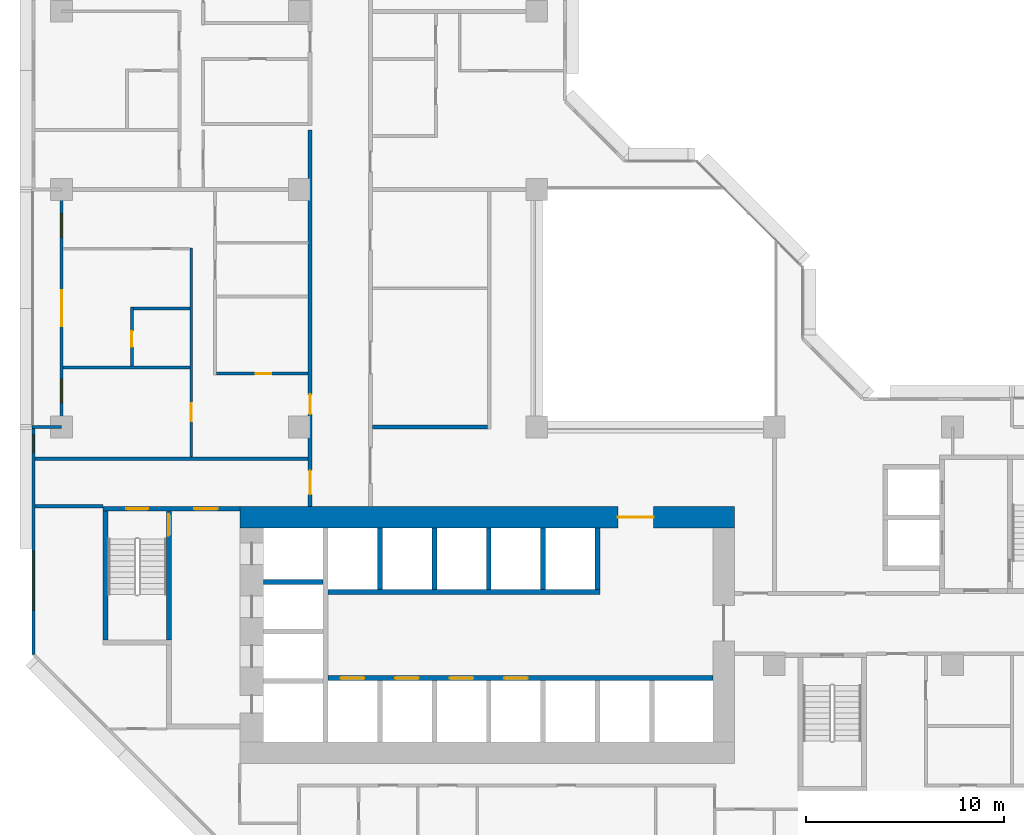
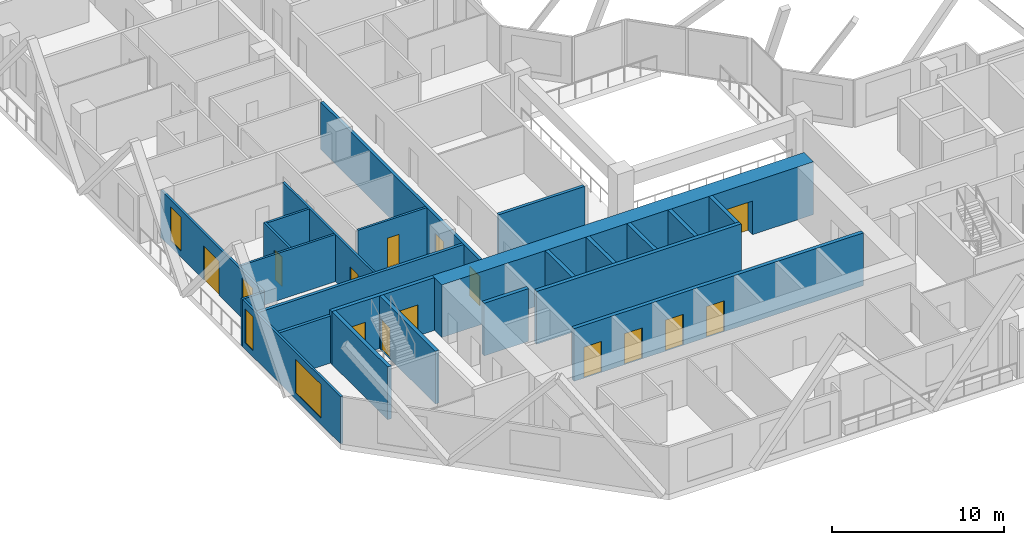
# One storey, part 5 of 15: 24 walls, 14 doors, 4 windows, 18 openings.
"""IFC4 building model written with IfcOpenShell, lengths in metres."""

from ifc_helpers import new_model, si_unit, direction, frame, frame_2d, origin, place, context, subcontext, project, spatial, rectangle, extrude, material, layer, layer_set, type_object, element, fill, save


model = new_model("IFC4")

# Units and contexts
model_context = context("Model", 3, precision=1e-05, world=origin(), true_north=direction((0.0, 1.0)))
body_context = subcontext(model_context, "Body", "Model", "MODEL_VIEW")
ifc_project = project(units=[si_unit("LENGTHUNIT", "METRE"), si_unit("AREAUNIT", "SQUARE_METRE"), si_unit("VOLUMEUNIT", "CUBIC_METRE"), si_unit("PLANEANGLEUNIT", "RADIAN"), si_unit("MASSUNIT", "GRAM", prefix="KILO")], contexts=[model_context])

# Site, building, storey
site_placement = place(None, origin())
site = spatial("IfcSite", under=ifc_project, at=site_placement, CompositionType="ELEMENT")
building_placement = place(site_placement, origin())
building = spatial("IfcBuilding", under=site, at=building_placement, Name="Chenar Terraces", CompositionType="ELEMENT")
storey_placement = place(building_placement, frame((0.0, 0.0, 48.89990234375)))
storey = spatial("IfcBuildingStorey", under=building, at=storey_placement, Name="L09", CompositionType="ELEMENT", Elevation=48.89990234375)

# Wall, opening, door
ifc_material_1 = material(Name="Concrete C70/85", Category="concrete")
ifc_layer_1 = layer(ifc_material_1, 1.10009765625)
ifc_layer_set_1 = layer_set([ifc_layer_1], Name="Concrete C70/85")
wall_type_1 = type_object("IfcWallType", Name="Core wall 1100 Concrete C70/85", PredefinedType="SHEAR", material=ifc_layer_set_1)
wall_1_placement = place(storey_placement, frame((9.0, 19.449951171875, 0.0), z_axis=(0.0, 0.0, 1.0), x_axis=(1.0, 0.0, 0.0)))
wall_1 = element("IfcWall", 1, at=wall_1_placement, inside=storey, type_object=wall_type_1, Name="Core wall N L09", PredefinedType="SHEAR", context=body_context, shape_type="SweptSolid", body=[
    extrude(rectangle(XDim=25.0, YDim=1.10009765625, at=frame_2d((12.5, 0.0))), origin(), (0.0, 0.0, 1.0), 3.75),
])
opening_1_placement = place(wall_1_placement, frame((19.10009765625, 0.0, 0.0)))
opening_1 = element("IfcOpeningElement", 2, at=opening_1_placement, cuts=wall_1, Name="Opening DL09-C2", PredefinedType="OPENING", context=body_context, shape_type="SweptSolid", body=[
    extrude(rectangle(XDim=1.800048828125, YDim=2.39990234375, at=frame_2d((0.89990234375, 1.199951171875))), frame((0.0, 0.56005859375, 0.0), z_axis=(0.0, -1.0, 0.0), x_axis=(1.0, 0.0, 0.0)), (0.0, 0.0, 1.0), 1.1201171875),
])
ifc_material_2 = material(Name="Steel-framed fire-resisting door leaf", Category="steel")
door_type_1 = type_object("IfcDoorType", Name="Core entrance double fire door FD60 1800 x 2400", OperationType="DOUBLE_DOOR_SINGLE_SWING", PredefinedType="DOOR", material=ifc_material_2)
door_1_placement = place(opening_1_placement, frame((1.800048828125, 0.0, 0.0), z_axis=(0.0, 0.0, 1.0), x_axis=(-1.0, 0.0, 0.0)))
door_1 = element("IfcDoor", 3, at=door_1_placement, inside=storey, type_object=door_type_1, Name="Core door DL09-C2", OperationType="DOUBLE_DOOR_SINGLE_SWING", OverallHeight=2.39990234375, OverallWidth=1.800048828125, PredefinedType="DOOR", context=body_context, shape_type="SweptSolid", body=[
    extrude(rectangle(XDim=1.800048828125, YDim=2.39990234375, at=frame_2d((0.89990234375, 1.199951171875))), frame((0.0, 0.02490234375, 0.0), z_axis=(0.0, -1.0, 0.0), x_axis=(1.0, 0.0, 0.0)), (0.0, 0.0, 1.0), 0.050048828125),
])
fill(opening_1, door_1)

# Wall, openings, doors
ifc_material_3 = material(Name="Concrete C70/85", Category="concrete")
ifc_layer_2 = layer(ifc_material_3, 0.25)
ifc_layer_set_2 = layer_set([ifc_layer_2], Name="Concrete C70/85")
wall_type_2 = type_object("IfcWallType", Name="Core wall 250 Concrete C70/85", PredefinedType="SHEAR", material=ifc_layer_set_2)
wall_2_placement = place(storey_placement, frame((13.449951171875, 11.324951171875, 0.0), z_axis=(0.0, 0.0, 1.0), x_axis=(1.0, 0.0, 0.0)))
wall_2 = element("IfcWall", 4, at=wall_2_placement, inside=storey, type_object=wall_type_2, Name="Core wall SF L09", PredefinedType="SHEAR", context=body_context, shape_type="SweptSolid", body=[
    extrude(rectangle(XDim=19.449951171875, YDim=0.25, at=frame_2d((9.72509765625, 0.0))), origin(), (0.0, 0.0, 1.0), 3.75),
])
opening_2_placement = place(wall_2_placement, frame((0.64990234375, 0.0, 0.0)))
opening_2 = element("IfcOpeningElement", 5, at=opening_2_placement, cuts=wall_2, Name="Opening DL09-LD1", PredefinedType="OPENING", context=body_context, shape_type="SweptSolid", body=[
    extrude(rectangle(XDim=1.199951171875, YDim=2.199951171875, at=frame_2d((0.60009765625, 1.10009765625))), frame((0.0, 0.135009765625, 0.0), z_axis=(0.0, -1.0, 0.0), x_axis=(1.0, 0.0, 0.0)), (0.0, 0.0, 1.0), 0.27001953125),
])
opening_3_placement = place(wall_2_placement, frame((3.39990234375, 0.0, 0.0)))
opening_3 = element("IfcOpeningElement", 6, at=opening_3_placement, cuts=wall_2, Name="Opening DL09-LD2", PredefinedType="OPENING", context=body_context, shape_type="SweptSolid", body=[
    extrude(rectangle(XDim=1.199951171875, YDim=2.199951171875, at=frame_2d((0.60009765625, 1.10009765625))), frame((0.0, 0.135009765625, 0.0), z_axis=(0.0, -1.0, 0.0), x_axis=(1.0, 0.0, 0.0)), (0.0, 0.0, 1.0), 0.27001953125),
])
opening_4_placement = place(wall_2_placement, frame((6.14990234375, 0.0, 0.0)))
opening_4 = element("IfcOpeningElement", 7, at=opening_4_placement, cuts=wall_2, Name="Opening DL09-LD3", PredefinedType="OPENING", context=body_context, shape_type="SweptSolid", body=[
    extrude(rectangle(XDim=1.199951171875, YDim=2.199951171875, at=frame_2d((0.60009765625, 1.10009765625))), frame((0.0, 0.135009765625, 0.0), z_axis=(0.0, -1.0, 0.0), x_axis=(1.0, 0.0, 0.0)), (0.0, 0.0, 1.0), 0.27001953125),
])
opening_5_placement = place(wall_2_placement, frame((8.89990234375, 0.0, 0.0)))
opening_5 = element("IfcOpeningElement", 8, at=opening_5_placement, cuts=wall_2, Name="Opening DL09-LD4", PredefinedType="OPENING", context=body_context, shape_type="SweptSolid", body=[
    extrude(rectangle(XDim=1.199951171875, YDim=2.199951171875, at=frame_2d((0.60009765625, 1.10009765625))), frame((0.0, 0.135009765625, 0.0), z_axis=(0.0, -1.0, 0.0), x_axis=(1.0, 0.0, 0.0)), (0.0, 0.0, 1.0), 0.27001953125),
])
ifc_material_4 = material(Name="Stainless steel", Category="steel")
door_type_2 = type_object("IfcDoorType", Name="Lift landing door 1200 x 2200 sliding", OperationType="DOUBLE_DOOR_SLIDING", PredefinedType="DOOR", material=ifc_material_4)
door_2_placement = place(opening_2_placement, origin())
door_2 = element("IfcDoor", 9, at=door_2_placement, inside=storey, type_object=door_type_2, Name="Landing door L1", OperationType="DOUBLE_DOOR_SLIDING", OverallHeight=2.199951171875, OverallWidth=1.199951171875, PredefinedType="DOOR", context=body_context, shape_type="SweptSolid", body=[
    extrude(rectangle(XDim=1.199951171875, YDim=2.199951171875, at=frame_2d((0.60009765625, 1.10009765625))), frame((0.0, 0.02490234375, 0.0), z_axis=(0.0, -1.0, 0.0), x_axis=(1.0, 0.0, 0.0)), (0.0, 0.0, 1.0), 0.050048828125),
])
fill(opening_2, door_2)
door_3_placement = place(opening_3_placement, origin())
door_3 = element("IfcDoor", 10, at=door_3_placement, inside=storey, type_object=door_type_2, Name="Landing door L2", OperationType="DOUBLE_DOOR_SLIDING", OverallHeight=2.199951171875, OverallWidth=1.199951171875, PredefinedType="DOOR", context=body_context, shape_type="SweptSolid", body=[
    extrude(rectangle(XDim=1.199951171875, YDim=2.199951171875, at=frame_2d((0.60009765625, 1.10009765625))), frame((0.0, 0.02490234375, 0.0), z_axis=(0.0, -1.0, 0.0), x_axis=(1.0, 0.0, 0.0)), (0.0, 0.0, 1.0), 0.050048828125),
])
fill(opening_3, door_3)
door_4_placement = place(opening_4_placement, origin())
door_4 = element("IfcDoor", 11, at=door_4_placement, inside=storey, type_object=door_type_2, Name="Landing door L3", OperationType="DOUBLE_DOOR_SLIDING", OverallHeight=2.199951171875, OverallWidth=1.199951171875, PredefinedType="DOOR", context=body_context, shape_type="SweptSolid", body=[
    extrude(rectangle(XDim=1.199951171875, YDim=2.199951171875, at=frame_2d((0.60009765625, 1.10009765625))), frame((0.0, 0.02490234375, 0.0), z_axis=(0.0, -1.0, 0.0), x_axis=(1.0, 0.0, 0.0)), (0.0, 0.0, 1.0), 0.050048828125),
])
fill(opening_4, door_4)
door_5_placement = place(opening_5_placement, origin())
door_5 = element("IfcDoor", 12, at=door_5_placement, inside=storey, type_object=door_type_2, Name="Landing door L4", OperationType="DOUBLE_DOOR_SLIDING", OverallHeight=2.199951171875, OverallWidth=1.199951171875, PredefinedType="DOOR", context=body_context, shape_type="SweptSolid", body=[
    extrude(rectangle(XDim=1.199951171875, YDim=2.199951171875, at=frame_2d((0.60009765625, 1.10009765625))), frame((0.0, 0.02490234375, 0.0), z_axis=(0.0, -1.0, 0.0), x_axis=(1.0, 0.0, 0.0)), (0.0, 0.0, 1.0), 0.050048828125),
])
fill(opening_5, door_5)

# Walls
wall_3_placement = place(storey_placement, frame((13.449951171875, 15.675048828125, 0.0), z_axis=(0.0, 0.0, 1.0), x_axis=(1.0, 0.0, 0.0)))
element("IfcWall", 13, at=wall_3_placement, inside=storey, type_object=wall_type_2, Name="Core wall NF L09", PredefinedType="SHEAR", context=body_context, shape_type="SweptSolid", body=[
    extrude(rectangle(XDim=13.75, YDim=0.25, at=frame_2d((6.875, 0.0))), origin(), (0.0, 0.0, 1.0), 3.75),
])
wall_4_placement = place(storey_placement, frame((10.199951171875, 16.175048828125, 0.0), z_axis=(0.0, 0.0, 1.0), x_axis=(1.0, 0.0, 0.0)))
element("IfcWall", 14, at=wall_4_placement, inside=storey, type_object=wall_type_2, Name="Core wall HW2 L09", PredefinedType="SHEAR", context=body_context, shape_type="SweptSolid", body=[
    extrude(rectangle(XDim=3.0, YDim=0.25, at=frame_2d((1.5, 0.0))), origin(), (0.0, 0.0, 1.0), 3.75),
])
for number, where, z_axis, x_axis, name in (
    (15, (16.074951171875, 15.800048828125, 0.0), (0.0, 0.0, 1.0), (0.0, 1.0, 0.0), "Core wall NS0 L09"),
    (16, (18.824951171875, 15.800048828125, 0.0), (0.0, 0.0, 1.0), (0.0, 1.0, 0.0), "Core wall NS1 L09"),
    (17, (21.574951171875, 15.800048828125, 0.0), (0.0, 0.0, 1.0), (0.0, 1.0, 0.0), "Core wall NS2 L09"),
    (18, (24.324951171875, 15.800048828125, 0.0), (0.0, 0.0, 1.0), (0.0, 1.0, 0.0), "Core wall NS3 L09"),
    (19, (27.074951171875, 15.800048828125, 0.0), (0.0, 0.0, 1.0), (0.0, 1.0, 0.0), "Core wall NE L09"),
):
    element("IfcWall", number, at=place(storey_placement, frame(where, z_axis=z_axis, x_axis=x_axis)), inside=storey, type_object=wall_type_2, Name=name, PredefinedType="SHEAR", context=body_context, shape_type="SweptSolid", body=[
        extrude(rectangle(XDim=3.099853515625, YDim=0.25, at=frame_2d((1.5498046875, 0.0))), origin(), (0.0, 0.0, 1.0), 3.75),
    ])

# Wall, openings, doors
wall_5_placement = place(storey_placement, frame((2.10009765625, 19.875, 0.0), z_axis=(0.0, 0.0, 1.0), x_axis=(1.0, 0.0, 0.0)))
wall_5 = element("IfcWall", 20, at=wall_5_placement, inside=storey, type_object=wall_type_2, Name="Core wall A_N L09", PredefinedType="SHEAR", context=body_context, shape_type="SweptSolid", body=[
    extrude(rectangle(XDim=6.89990234375, YDim=0.25, at=frame_2d((3.449951171875, 0.0))), origin(), (0.0, 0.0, 1.0), 3.75),
])
opening_6_placement = place(wall_5_placement, frame((1.175048828125, 0.0, 0.0)))
opening_6 = element("IfcOpeningElement", 21, at=opening_6_placement, cuts=wall_5, Name="Opening DL09-C5", PredefinedType="OPENING", context=body_context, shape_type="SweptSolid", body=[
    extrude(rectangle(XDim=1.10009765625, YDim=2.199951171875, at=frame_2d((0.550048828125, 1.10009765625))), frame((0.0, 0.135009765625, 0.0), z_axis=(0.0, -1.0, 0.0), x_axis=(1.0, 0.0, 0.0)), (0.0, 0.0, 1.0), 0.27001953125),
])
opening_7_placement = place(wall_5_placement, frame((4.60009765625, 0.0, 0.0)))
opening_7 = element("IfcOpeningElement", 22, at=opening_7_placement, cuts=wall_5, Name="Opening DL09-C6", PredefinedType="OPENING", context=body_context, shape_type="SweptSolid", body=[
    extrude(rectangle(XDim=1.199951171875, YDim=2.199951171875, at=frame_2d((0.60009765625, 1.10009765625))), frame((0.0, 0.135009765625, 0.0), z_axis=(0.0, -1.0, 0.0), x_axis=(1.0, 0.0, 0.0)), (0.0, 0.0, 1.0), 0.27001953125),
])
ifc_material_5 = material(Name="Steel-framed fire-resisting door leaf", Category="steel")
door_type_3 = type_object("IfcDoorType", Name="Lobby fire door FD60 1200 x 2200", OperationType="SINGLE_SWING_LEFT", PredefinedType="DOOR", material=ifc_material_5)
door_6_placement = place(opening_7_placement, frame((1.199951171875, 0.0, 0.0), z_axis=(0.0, 0.0, 1.0), x_axis=(-1.0, 0.0, 0.0)))
door_6 = element("IfcDoor", 23, at=door_6_placement, inside=storey, type_object=door_type_3, Name="Core door DL09-C6", OperationType="SINGLE_SWING_LEFT", OverallHeight=2.199951171875, OverallWidth=1.199951171875, PredefinedType="DOOR", context=body_context, shape_type="SweptSolid", body=[
    extrude(rectangle(XDim=1.199951171875, YDim=2.199951171875, at=frame_2d((0.60009765625, 1.10009765625))), frame((0.0, 0.02490234375, 0.0), z_axis=(0.0, -1.0, 0.0), x_axis=(1.0, 0.0, 0.0)), (0.0, 0.0, 1.0), 0.050048828125),
])
fill(opening_7, door_6)
ifc_material_6 = material(Name="Steel-framed fire-resisting door leaf", Category="steel")
door_type_4 = type_object("IfcDoorType", Name="Stair fire door FD60 1100 x 2200", OperationType="SINGLE_SWING_LEFT", PredefinedType="DOOR", material=ifc_material_6)
door_7_placement = place(opening_6_placement, origin())
door_7 = element("IfcDoor", 24, at=door_7_placement, inside=storey, type_object=door_type_4, Name="Stair door DL09-C5", OperationType="SINGLE_SWING_LEFT", OverallHeight=2.199951171875, OverallWidth=1.10009765625, PredefinedType="DOOR", context=body_context, shape_type="SweptSolid", body=[
    extrude(rectangle(XDim=1.10009765625, YDim=2.199951171875, at=frame_2d((0.550048828125, 1.10009765625))), frame((0.0, 0.02490234375, 0.0), z_axis=(0.0, -1.0, 0.0), x_axis=(1.0, 0.0, 0.0)), (0.0, 0.0, 1.0), 0.050048828125),
])
fill(opening_6, door_7)

# Wall
wall_6_placement = place(storey_placement, frame((2.22509765625, 13.25, 0.0), z_axis=(0.0, 0.0, 1.0), x_axis=(0.0, 1.0, 0.0)))
element("IfcWall", 25, at=wall_6_placement, inside=storey, type_object=wall_type_2, Name="Core wall ST1_W L09", PredefinedType="SHEAR", context=body_context, shape_type="SweptSolid", body=[
    extrude(rectangle(XDim=6.5, YDim=0.25, at=frame_2d((3.25, 0.0))), origin(), (0.0, 0.0, 1.0), 3.75),
])

# Wall, opening, door
wall_7_placement = place(storey_placement, frame((5.425048828125, 13.25, 0.0), z_axis=(0.0, 0.0, 1.0), x_axis=(0.0, 1.0, 0.0)))
wall_7 = element("IfcWall", 26, at=wall_7_placement, inside=storey, type_object=wall_type_2, Name="Core wall ST1_E L09", PredefinedType="SHEAR", context=body_context, shape_type="SweptSolid", body=[
    extrude(rectangle(XDim=6.5, YDim=0.25, at=frame_2d((3.25, 0.0))), origin(), (0.0, 0.0, 1.0), 3.75),
])
opening_8_placement = place(wall_7_placement, frame((5.25, 0.0, 0.0)))
opening_8 = element("IfcOpeningElement", 27, at=opening_8_placement, cuts=wall_7, Name="Opening DL09-C3", PredefinedType="OPENING", context=body_context, shape_type="SweptSolid", body=[
    extrude(rectangle(XDim=1.10009765625, YDim=2.199951171875, at=frame_2d((0.550048828125, 1.10009765625))), frame((0.0, 0.135009765625, 0.0), z_axis=(0.0, -1.0, 0.0), x_axis=(1.0, 0.0, 0.0)), (0.0, 0.0, 1.0), 0.27001953125),
])
door_8_placement = place(opening_8_placement, origin())
door_8 = element("IfcDoor", 28, at=door_8_placement, inside=storey, type_object=door_type_4, Name="Stair door DL09-C3", OperationType="SINGLE_SWING_RIGHT", OverallHeight=2.199951171875, OverallWidth=1.10009765625, PredefinedType="DOOR", context=body_context, shape_type="SweptSolid", body=[
    extrude(rectangle(XDim=1.10009765625, YDim=2.199951171875, at=frame_2d((0.550048828125, 1.10009765625))), frame((0.0, 0.02490234375, 0.0), z_axis=(0.0, -1.0, 0.0), x_axis=(1.0, 0.0, 0.0)), (0.0, 0.0, 1.0), 0.050048828125),
])
fill(opening_8, door_8)

# Walls
ifc_material_7 = material(Name="Gypsum board on steel studs with fire boards", Category="steel")
ifc_layer_3 = layer(ifc_material_7, 0.199951171875)
ifc_layer_set_3 = layer_set([ifc_layer_3], Name="Gypsum board on steel studs with fire boards")
wall_type_3 = type_object("IfcWallType", Name="Corridor wall 200", PredefinedType="PARTITIONING", material=ifc_layer_set_3)
wall_8_placement = place(storey_placement, frame((-1.35009765625, 20.0, 0.0), z_axis=(0.0, 0.0, 1.0), x_axis=(1.0, 0.0, 0.0)))
element("IfcWall", 29, at=wall_8_placement, inside=storey, type_object=wall_type_3, Name="Partition L09-002", PredefinedType="PARTITIONING", context=body_context, shape_type="SweptSolid", body=[
    extrude(rectangle(XDim=3.4501953125, YDim=0.199951171875, at=frame_2d((1.72509765625, 0.0))), origin(), (0.0, 0.0, 1.0), 3.35009765625),
])
wall_9_placement = place(storey_placement, frame((-1.35009765625, 22.39990234375, 0.0), z_axis=(0.0, 0.0, 1.0), x_axis=(1.0, 0.0, 0.0)))
element("IfcWall", 30, at=wall_9_placement, inside=storey, type_object=wall_type_3, Name="Partition L09-003", PredefinedType="PARTITIONING", context=body_context, shape_type="SweptSolid", body=[
    extrude(rectangle(XDim=13.800048828125, YDim=0.199951171875, at=frame_2d((6.89990234375, 0.0))), origin(), (0.0, 0.0, 1.0), 3.35009765625),
])

# Wall, openings, doors
wall_10_placement = place(storey_placement, frame((12.550048828125, 20.0, 0.0), z_axis=(0.0, 0.0, 1.0), x_axis=(0.0, 1.0, 0.0)))
wall_10 = element("IfcWall", 31, at=wall_10_placement, inside=storey, type_object=wall_type_3, Name="Partition L09-041", PredefinedType="PARTITIONING", context=body_context, shape_type="SweptSolid", body=[
    extrude(rectangle(XDim=19.0, YDim=0.199951171875, at=frame_2d((9.5, 0.0))), origin(), (0.0, 0.0, 1.0), 3.35009765625),
])
opening_9_placement = place(wall_10_placement, frame((0.60009765625, 0.0, 0.0)))
opening_9 = element("IfcOpeningElement", 32, at=opening_9_placement, cuts=wall_10, Name="Opening DL09-48", PredefinedType="OPENING", context=body_context, shape_type="SweptSolid", body=[
    extrude(rectangle(XDim=1.199951171875, YDim=2.10009765625, at=frame_2d((0.60009765625, 1.050048828125))), frame((0.0, 0.10986328125, 0.0), z_axis=(0.0, -1.0, 0.0), x_axis=(1.0, 0.0, 0.0)), (0.0, 0.0, 1.0), 0.219970703125),
])
opening_10_placement = place(wall_10_placement, frame((4.64990234375, 0.0, 0.0)))
opening_10 = element("IfcOpeningElement", 33, at=opening_10_placement, cuts=wall_10, Name="Opening DL09-72", PredefinedType="OPENING", context=body_context, shape_type="SweptSolid", body=[
    extrude(rectangle(XDim=1.0, YDim=2.10009765625, at=frame_2d((0.5, 1.050048828125))), frame((0.0, 0.10986328125, 0.0), z_axis=(0.0, -1.0, 0.0), x_axis=(1.0, 0.0, 0.0)), (0.0, 0.0, 1.0), 0.219970703125),
])
ifc_material_8 = material(Name="Steel-framed fire-resisting door leaf", Category="steel")
door_type_5 = type_object("IfcDoorType", Name="Fire door FD30S 1000 x 2100", OperationType="SINGLE_SWING_LEFT", PredefinedType="DOOR", material=ifc_material_8)
door_9_placement = place(opening_10_placement, origin())
door_9 = element("IfcDoor", 34, at=door_9_placement, inside=storey, type_object=door_type_5, Name="Door DL09-72", OperationType="SINGLE_SWING_LEFT", OverallHeight=2.10009765625, OverallWidth=1.0, PredefinedType="DOOR", context=body_context, shape_type="SweptSolid", body=[
    extrude(rectangle(XDim=1.0, YDim=2.10009765625, at=frame_2d((0.5, 1.050048828125))), frame((0.0, 0.02490234375, 0.0), z_axis=(0.0, -1.0, 0.0), x_axis=(1.0, 0.0, 0.0)), (0.0, 0.0, 1.0), 0.050048828125),
])
fill(opening_10, door_9)
ifc_material_9 = material(Name="Steel-framed fire-resisting door leaf", Category="steel")
door_type_6 = type_object("IfcDoorType", Name="Fire door FD30S 1200 x 2100", OperationType="SINGLE_SWING_LEFT", PredefinedType="DOOR", material=ifc_material_9)
door_10_placement = place(opening_9_placement, origin())
door_10 = element("IfcDoor", 35, at=door_10_placement, inside=storey, type_object=door_type_6, Name="Door DL09-48", OperationType="SINGLE_SWING_RIGHT", OverallHeight=2.10009765625, OverallWidth=1.199951171875, PredefinedType="DOOR", context=body_context, shape_type="SweptSolid", body=[
    extrude(rectangle(XDim=1.199951171875, YDim=2.10009765625, at=frame_2d((0.60009765625, 1.050048828125))), frame((0.0, 0.02490234375, 0.0), z_axis=(0.0, -1.0, 0.0), x_axis=(1.0, 0.0, 0.0)), (0.0, 0.0, 1.0), 0.050048828125),
])
fill(opening_9, door_10)

# Wall
wall_11_placement = place(storey_placement, frame((15.699951171875, 24.0, 0.0), z_axis=(0.0, 0.0, 1.0), x_axis=(1.0, 0.0, 0.0)))
element("IfcWall", 36, at=wall_11_placement, inside=storey, type_object=wall_type_3, Name="Partition L09-046", PredefinedType="PARTITIONING", context=body_context, shape_type="SweptSolid", body=[
    extrude(rectangle(XDim=5.800048828125, YDim=0.199951171875, at=frame_2d((2.89990234375, 0.0))), origin(), (0.0, 0.0, 1.0), 3.35009765625),
])

# Wall, openings, windows
ifc_material_10 = material(Name="Aluminium framed glazing", Category="aluminium")
ifc_layer_4 = layer(ifc_material_10, 0.14990234375)
ifc_layer_set_4 = layer_set([ifc_layer_4], Name="Aluminium framed glazing")
wall_type_4 = type_object("IfcWallType", Name="Glazed flush facade wall 150", PredefinedType="SOLIDWALL", material=ifc_layer_set_4)
wall_12_placement = place(storey_placement, frame((-1.425048828125, 23.925048828125, 0.0), z_axis=(0.0, 0.0, 1.0), x_axis=(0.0, -1.0, 0.0)))
wall_12 = element("IfcWall", 37, at=wall_12_placement, inside=storey, type_object=wall_type_4, Name="Glazed flush facade wall", PredefinedType="SOLIDWALL", context=body_context, shape_type="SweptSolid", body=[
    extrude(rectangle(XDim=11.425048828125, YDim=0.14990234375, at=frame_2d((5.71240234375, 0.0))), origin(), (0.0, 0.0, 1.0), 3.35009765625),
])
opening_11_placement = place(wall_12_placement, frame((0.3125, 0.0, 0.449951171875)))
opening_11 = element("IfcOpeningElement", 38, at=opening_11_placement, cuts=wall_12, Name="Opening W90x240", PredefinedType="OPENING", context=body_context, shape_type="SweptSolid", body=[
    extrude(rectangle(XDim=0.89990234375, YDim=2.39990234375, at=frame_2d((0.449951171875, 1.199951171875))), frame((0.0, 0.0849609375, 0.0), z_axis=(0.0, -1.0, 0.0), x_axis=(1.0, 0.0, 0.0)), (0.0, 0.0, 1.0), 0.169921875),
])
opening_12_placement = place(wall_12_placement, frame((6.175048828125, 0.0, 0.449951171875)))
opening_12 = element("IfcOpeningElement", 39, at=opening_12_placement, cuts=wall_12, Name="Opening W300x240", PredefinedType="OPENING", context=body_context, shape_type="SweptSolid", body=[
    extrude(rectangle(XDim=3.0, YDim=2.39990234375, at=frame_2d((1.5, 1.199951171875))), frame((0.0, 0.0849609375, 0.0), z_axis=(0.0, -1.0, 0.0), x_axis=(1.0, 0.0, 0.0)), (0.0, 0.0, 1.0), 0.169921875),
])
ifc_material_11 = material(Name="Low emissivity double glazing, aluminium frame", Category="aluminium")
window_type_1 = type_object("IfcWindowType", Name="Fixed light 3000 x 2400", PartitioningType="SINGLE_PANEL", PredefinedType="WINDOW", material=ifc_material_11)
window_1_placement = place(opening_12_placement, origin())
window_1 = element("IfcWindow", 40, at=window_1_placement, inside=storey, type_object=window_type_1, Name="Window", OverallHeight=2.39990234375, OverallWidth=3.0, PartitioningType="SINGLE_PANEL", PredefinedType="WINDOW", context=body_context, shape_type="SweptSolid", body=[
    extrude(rectangle(XDim=3.0, YDim=2.39990234375, at=frame_2d((1.5, 1.199951171875))), frame((0.0, 0.030029296875, 0.0), z_axis=(0.0, -1.0, 0.0), x_axis=(1.0, 0.0, 0.0)), (0.0, 0.0, 1.0), 0.06005859375),
])
fill(opening_12, window_1)
ifc_material_12 = material(Name="Low emissivity double glazing, aluminium frame", Category="aluminium")
window_type_2 = type_object("IfcWindowType", Name="Fixed light 900 x 2400", PartitioningType="SINGLE_PANEL", PredefinedType="WINDOW", material=ifc_material_12)
window_2_placement = place(opening_11_placement, origin())
window_2 = element("IfcWindow", 41, at=window_2_placement, inside=storey, type_object=window_type_2, Name="Window", OverallHeight=2.39990234375, OverallWidth=0.89990234375, PartitioningType="SINGLE_PANEL", PredefinedType="WINDOW", context=body_context, shape_type="SweptSolid", body=[
    extrude(rectangle(XDim=0.89990234375, YDim=2.39990234375, at=frame_2d((0.449951171875, 1.199951171875))), frame((0.0, 0.030029296875, 0.0), z_axis=(0.0, -1.0, 0.0), x_axis=(1.0, 0.0, 0.0)), (0.0, 0.0, 1.0), 0.06005859375),
])
fill(opening_11, window_2)

# Wall, openings, windows, door
ifc_material_13 = material(Name="Aluminium framed glazing", Category="aluminium")
ifc_layer_5 = layer(ifc_material_13, 0.14990234375)
ifc_layer_set_5 = layer_set([ifc_layer_5], Name="Aluminium framed glazing")
wall_type_5 = type_object("IfcWallType", Name="Glazed loggia back wall 150", PredefinedType="SOLIDWALL", material=ifc_layer_set_5)
wall_13_placement = place(storey_placement, frame((0.0, 35.925048828125, 0.0), z_axis=(0.0, 0.0, 1.0), x_axis=(0.0, -1.0, 0.0)))
wall_13 = element("IfcWall", 42, at=wall_13_placement, inside=storey, type_object=wall_type_5, Name="Glazed loggia back wall", PredefinedType="SOLIDWALL", context=body_context, shape_type="SweptSolid", body=[
    extrude(rectangle(XDim=11.85009765625, YDim=0.14990234375, at=frame_2d((5.925048828125, 0.0))), origin(), (0.0, 0.0, 1.0), 3.35009765625),
])
opening_13_placement = place(wall_13_placement, frame((1.14990234375, 0.0, 0.449951171875)))
opening_13 = element("IfcOpeningElement", 43, at=opening_13_placement, cuts=wall_13, Name="Opening W120x240", PredefinedType="OPENING", context=body_context, shape_type="SweptSolid", body=[
    extrude(rectangle(XDim=1.199951171875, YDim=2.39990234375, at=frame_2d((0.60009765625, 1.199951171875))), frame((0.0, 0.0849609375, 0.0), z_axis=(0.0, -1.0, 0.0), x_axis=(1.0, 0.0, 0.0)), (0.0, 0.0, 1.0), 0.169921875),
])
opening_14_placement = place(wall_13_placement, frame((5.02490234375, 0.0, 0.0)))
opening_14 = element("IfcOpeningElement", 44, at=opening_14_placement, cuts=wall_13, Name="Opening DL09-G4", PredefinedType="OPENING", context=body_context, shape_type="SweptSolid", body=[
    extrude(rectangle(XDim=1.800048828125, YDim=2.39990234375, at=frame_2d((0.89990234375, 1.199951171875))), frame((0.0, 0.0849609375, 0.0), z_axis=(0.0, -1.0, 0.0), x_axis=(1.0, 0.0, 0.0)), (0.0, 0.0, 1.0), 0.169921875),
])
opening_15_placement = place(wall_13_placement, frame((9.5, 0.0, 0.449951171875)))
opening_15 = element("IfcOpeningElement", 45, at=opening_15_placement, cuts=wall_13, Name="Opening W120x240", PredefinedType="OPENING", context=body_context, shape_type="SweptSolid", body=[
    extrude(rectangle(XDim=1.199951171875, YDim=2.39990234375, at=frame_2d((0.60009765625, 1.199951171875))), frame((0.0, 0.0849609375, 0.0), z_axis=(0.0, -1.0, 0.0), x_axis=(1.0, 0.0, 0.0)), (0.0, 0.0, 1.0), 0.169921875),
])
ifc_material_14 = material(Name="Low emissivity double glazing, aluminium frame", Category="aluminium")
window_type_3 = type_object("IfcWindowType", Name="Fixed light 1200 x 2400", PartitioningType="SINGLE_PANEL", PredefinedType="WINDOW", material=ifc_material_14)
window_3_placement = place(opening_13_placement, origin())
window_3 = element("IfcWindow", 46, at=window_3_placement, inside=storey, type_object=window_type_3, Name="Window", OverallHeight=2.39990234375, OverallWidth=1.199951171875, PartitioningType="SINGLE_PANEL", PredefinedType="WINDOW", context=body_context, shape_type="SweptSolid", body=[
    extrude(rectangle(XDim=1.199951171875, YDim=2.39990234375, at=frame_2d((0.60009765625, 1.199951171875))), frame((0.0, 0.030029296875, 0.0), z_axis=(0.0, -1.0, 0.0), x_axis=(1.0, 0.0, 0.0)), (0.0, 0.0, 1.0), 0.06005859375),
])
fill(opening_13, window_3)
window_4_placement = place(opening_15_placement, origin())
window_4 = element("IfcWindow", 47, at=window_4_placement, inside=storey, type_object=window_type_3, Name="Window", OverallHeight=2.39990234375, OverallWidth=1.199951171875, PartitioningType="SINGLE_PANEL", PredefinedType="WINDOW", context=body_context, shape_type="SweptSolid", body=[
    extrude(rectangle(XDim=1.199951171875, YDim=2.39990234375, at=frame_2d((0.60009765625, 1.199951171875))), frame((0.0, 0.030029296875, 0.0), z_axis=(0.0, -1.0, 0.0), x_axis=(1.0, 0.0, 0.0)), (0.0, 0.0, 1.0), 0.06005859375),
])
fill(opening_15, window_4)
ifc_material_15 = material(Name="Low emissivity double glazing, aluminium frame", Category="aluminium")
door_type_7 = type_object("IfcDoorType", Name="Loggia glazed double door 1800 x 2400", OperationType="DOUBLE_DOOR_SINGLE_SWING", PredefinedType="DOOR", material=ifc_material_15)
door_11_placement = place(opening_14_placement, frame((1.800048828125, 0.0, 0.0), z_axis=(0.0, 0.0, 1.0), x_axis=(-1.0, 0.0, 0.0)))
door_11 = element("IfcDoor", 48, at=door_11_placement, inside=storey, type_object=door_type_7, Name="Loggia glazed door", OperationType="DOUBLE_DOOR_SINGLE_SWING", OverallHeight=2.39990234375, OverallWidth=1.800048828125, PredefinedType="DOOR", context=body_context, shape_type="SweptSolid", body=[
    extrude(rectangle(XDim=1.800048828125, YDim=2.39990234375, at=frame_2d((0.89990234375, 1.199951171875))), frame((0.0, 0.02490234375, 0.0), z_axis=(0.0, -1.0, 0.0), x_axis=(1.0, 0.0, 0.0)), (0.0, 0.0, 1.0), 0.050048828125),
])
fill(opening_14, door_11)

# Walls
ifc_material_16 = material(Name="Terracotta cladding on insulated backing", Category="masonry")
ifc_layer_6 = layer(ifc_material_16, 0.14990234375)
ifc_layer_set_6 = layer_set([ifc_layer_6], Name="Terracotta cladding on insulated backing")
wall_type_6 = type_object("IfcWallType", Name="Loggia return wall 150", PredefinedType="SOLIDWALL", material=ifc_layer_set_6)
wall_14_placement = place(storey_placement, frame((-1.5, 24.0, 0.0), z_axis=(0.0, 0.0, 1.0), x_axis=(1.0, 0.0, 0.0)))
element("IfcWall", 49, at=wall_14_placement, inside=storey, type_object=wall_type_6, Name="Loggia return wall", PredefinedType="SOLIDWALL", context=body_context, shape_type="SweptSolid", body=[
    extrude(rectangle(XDim=1.5, YDim=0.14990234375, at=frame_2d((0.75, 0.0))), origin(), (0.0, 0.0, 1.0), 3.35009765625),
])
ifc_material_17 = material(Name="Moisture-resistant gypsum board on steel studs", Category="steel")
ifc_layer_7 = layer(ifc_material_17, 0.14990234375)
ifc_layer_set_7 = layer_set([ifc_layer_7], Name="Moisture-resistant gypsum board on steel studs")
wall_type_7 = type_object("IfcWallType", Name="Wet-room partition 150", PredefinedType="PARTITIONING", material=ifc_layer_set_7)
wall_15_placement = place(storey_placement, frame((0.073974609375, 27.0, 0.0), z_axis=(0.0, 0.0, 1.0), x_axis=(1.0, 0.0, 0.0)))
element("IfcWall", 50, at=wall_15_placement, inside=storey, type_object=wall_type_7, Name="Partition L09-007", PredefinedType="PARTITIONING", context=body_context, shape_type="SweptSolid", body=[
    extrude(rectangle(XDim=6.401123046875, YDim=0.14990234375, at=frame_2d((3.20068359375, 0.0))), origin(), (0.0, 0.0, 1.0), 3.35009765625),
])

# Wall, opening, door
wall_16_placement = place(storey_placement, frame((3.550048828125, 27.074951171875, 0.0), z_axis=(0.0, 0.0, 1.0), x_axis=(0.0, 1.0, 0.0)))
wall_16 = element("IfcWall", 51, at=wall_16_placement, inside=storey, type_object=wall_type_7, Name="Partition L09-014", PredefinedType="PARTITIONING", context=body_context, shape_type="SweptSolid", body=[
    extrude(rectangle(XDim=3.0, YDim=0.14990234375, at=frame_2d((1.5, 0.0))), origin(), (0.0, 0.0, 1.0), 3.35009765625),
])
opening_16_placement = place(wall_16_placement, frame((0.97509765625, 0.0, 0.0)))
opening_16 = element("IfcOpeningElement", 52, at=opening_16_placement, cuts=wall_16, Name="Opening DL09-70", PredefinedType="OPENING", context=body_context, shape_type="SweptSolid", body=[
    extrude(rectangle(XDim=0.800048828125, YDim=2.10009765625, at=frame_2d((0.39990234375, 1.050048828125))), frame((0.0, 0.0849609375, 0.0), z_axis=(0.0, -1.0, 0.0), x_axis=(1.0, 0.0, 0.0)), (0.0, 0.0, 1.0), 0.169921875),
])
ifc_material_18 = material(Name="Veneered timber door leaf", Category="wood")
door_type_8 = type_object("IfcDoorType", Name="Door 800 x 2100", OperationType="SINGLE_SWING_LEFT", PredefinedType="DOOR", material=ifc_material_18)
door_12_placement = place(opening_16_placement, frame((0.800048828125, 0.0, 0.0), z_axis=(0.0, 0.0, 1.0), x_axis=(-1.0, 0.0, 0.0)))
door_12 = element("IfcDoor", 53, at=door_12_placement, inside=storey, type_object=door_type_8, Name="Door DL09-70", OperationType="SINGLE_SWING_RIGHT", OverallHeight=2.10009765625, OverallWidth=0.800048828125, PredefinedType="DOOR", context=body_context, shape_type="SweptSolid", body=[
    extrude(rectangle(XDim=0.800048828125, YDim=2.10009765625, at=frame_2d((0.39990234375, 1.050048828125))), frame((0.0, 0.02490234375, 0.0), z_axis=(0.0, -1.0, 0.0), x_axis=(1.0, 0.0, 0.0)), (0.0, 0.0, 1.0), 0.050048828125),
])
fill(opening_16, door_12)

# Wall
wall_17_placement = place(storey_placement, frame((3.625, 30.0, 0.0), z_axis=(0.0, 0.0, 1.0), x_axis=(1.0, 0.0, 0.0)))
element("IfcWall", 54, at=wall_17_placement, inside=storey, type_object=wall_type_7, Name="Partition L09-015", PredefinedType="PARTITIONING", context=body_context, shape_type="SweptSolid", body=[
    extrude(rectangle(XDim=2.85009765625, YDim=0.14990234375, at=frame_2d((1.425048828125, 0.0))), origin(), (0.0, 0.0, 1.0), 3.35009765625),
])

# Wall, opening, door
wall_18_placement = place(storey_placement, frame((6.550048828125, 22.5, 0.0), z_axis=(0.0, 0.0, 1.0), x_axis=(0.0, 1.0, 0.0)))
wall_18 = element("IfcWall", 55, at=wall_18_placement, inside=storey, type_object=wall_type_7, Name="Partition L09-020", PredefinedType="PARTITIONING", context=body_context, shape_type="SweptSolid", body=[
    extrude(rectangle(XDim=10.550048828125, YDim=0.14990234375, at=frame_2d((5.27490234375, 0.0))), origin(), (0.0, 0.0, 1.0), 3.35009765625),
])
opening_17_placement = place(wall_18_placement, frame((1.800048828125, 0.0, 0.0)))
opening_17 = element("IfcOpeningElement", 56, at=opening_17_placement, cuts=wall_18, Name="Opening DL09-68", PredefinedType="OPENING", context=body_context, shape_type="SweptSolid", body=[
    extrude(rectangle(XDim=0.89990234375, YDim=2.10009765625, at=frame_2d((0.449951171875, 1.050048828125))), frame((0.0, 0.0849609375, 0.0), z_axis=(0.0, -1.0, 0.0), x_axis=(1.0, 0.0, 0.0)), (0.0, 0.0, 1.0), 0.169921875),
])
ifc_material_19 = material(Name="Veneered timber door leaf", Category="wood")
door_type_9 = type_object("IfcDoorType", Name="Door 900 x 2100", OperationType="SINGLE_SWING_LEFT", PredefinedType="DOOR", material=ifc_material_19)
door_13_placement = place(opening_17_placement, origin())
door_13 = element("IfcDoor", 57, at=door_13_placement, inside=storey, type_object=door_type_9, Name="Door DL09-68", OperationType="SINGLE_SWING_RIGHT", OverallHeight=2.10009765625, OverallWidth=0.89990234375, PredefinedType="DOOR", context=body_context, shape_type="SweptSolid", body=[
    extrude(rectangle(XDim=0.89990234375, YDim=2.10009765625, at=frame_2d((0.449951171875, 1.050048828125))), frame((0.0, 0.02490234375, 0.0), z_axis=(0.0, -1.0, 0.0), x_axis=(1.0, 0.0, 0.0)), (0.0, 0.0, 1.0), 0.050048828125),
])
fill(opening_17, door_13)

wall_19_placement = place(storey_placement, frame((7.824951171875, 26.699951171875, 0.0), z_axis=(0.0, 0.0, 1.0), x_axis=(1.0, 0.0, 0.0)))
wall_19 = element("IfcWall", 58, at=wall_19_placement, inside=storey, type_object=wall_type_7, Name="Partition L09-030", PredefinedType="PARTITIONING", context=body_context, shape_type="SweptSolid", body=[
    extrude(rectangle(XDim=4.625, YDim=0.14990234375, at=frame_2d((2.3125, 0.0))), origin(), (0.0, 0.0, 1.0), 3.35009765625),
])
opening_18_placement = place(wall_19_placement, frame((1.97509765625, 0.0, 0.0)))
opening_18 = element("IfcOpeningElement", 59, at=opening_18_placement, cuts=wall_19, Name="Opening DL09-67", PredefinedType="OPENING", context=body_context, shape_type="SweptSolid", body=[
    extrude(rectangle(XDim=0.800048828125, YDim=2.10009765625, at=frame_2d((0.39990234375, 1.050048828125))), frame((0.0, 0.0849609375, 0.0), z_axis=(0.0, -1.0, 0.0), x_axis=(1.0, 0.0, 0.0)), (0.0, 0.0, 1.0), 0.169921875),
])
door_14_placement = place(opening_18_placement, origin())
door_14 = element("IfcDoor", 60, at=door_14_placement, inside=storey, type_object=door_type_8, Name="Door DL09-67", OperationType="SINGLE_SWING_RIGHT", OverallHeight=2.10009765625, OverallWidth=0.800048828125, PredefinedType="DOOR", context=body_context, shape_type="SweptSolid", body=[
    extrude(rectangle(XDim=0.800048828125, YDim=2.10009765625, at=frame_2d((0.39990234375, 1.050048828125))), frame((0.0, 0.02490234375, 0.0), z_axis=(0.0, -1.0, 0.0), x_axis=(1.0, 0.0, 0.0)), (0.0, 0.0, 1.0), 0.050048828125),
])
fill(opening_18, door_14)

save(model, "model.ifc")
